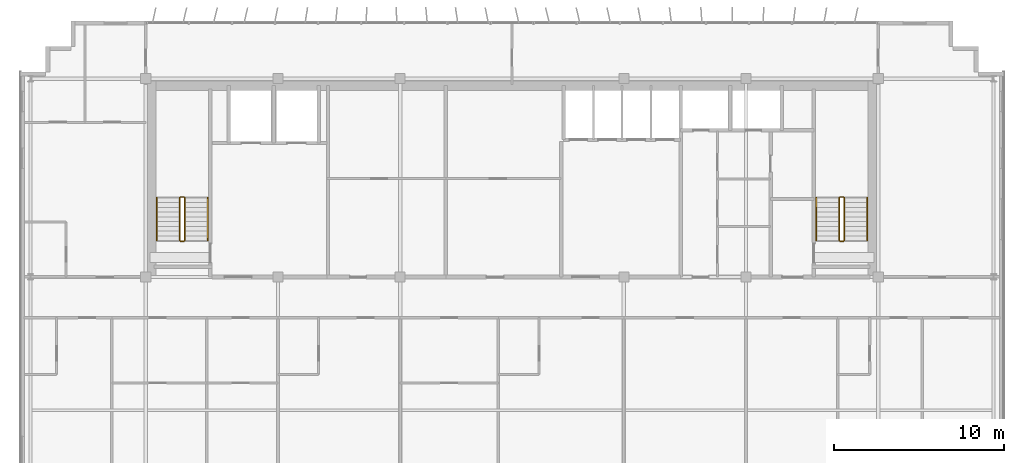
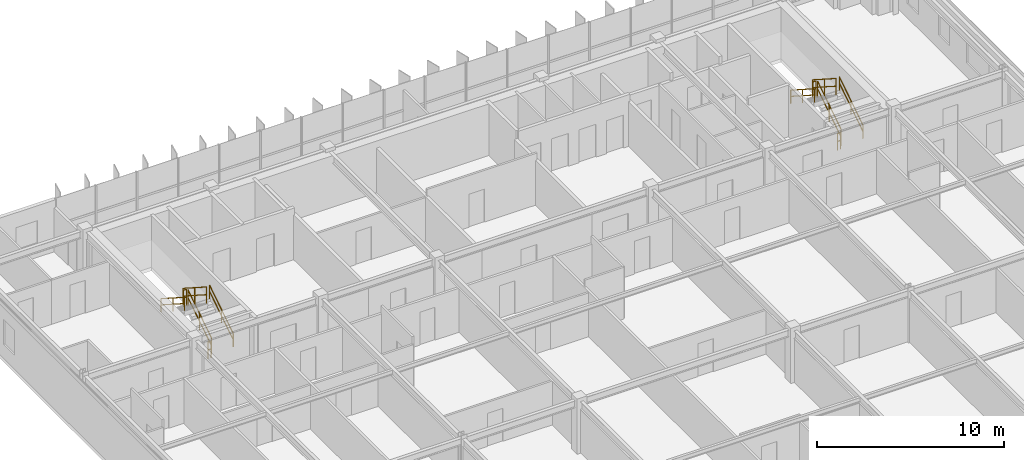
# One storey, part 23 of 23: 12 railings.
"""IFC4 building model written with IfcOpenShell, lengths in metres."""

from ifc_helpers import new_model, si_unit, direction, frame, origin, origin_2d, place, context, subcontext, project, spatial, rectangle, extrude, material, type_object, element, save


model = new_model("IFC4")

# Units and contexts
model_context = context("Model", 3, precision=1e-05, world=origin(), true_north=direction((0.0, 1.0)))
body_context = subcontext(model_context, "Body", "Model", "MODEL_VIEW")
ifc_project = project(units=[si_unit("LENGTHUNIT", "METRE"), si_unit("AREAUNIT", "SQUARE_METRE"), si_unit("VOLUMEUNIT", "CUBIC_METRE"), si_unit("PLANEANGLEUNIT", "RADIAN"), si_unit("MASSUNIT", "GRAM", prefix="KILO")], contexts=[model_context])

# Site, building, storey
site_placement = place(None, origin())
site = spatial("IfcSite", under=ifc_project, at=site_placement, CompositionType="ELEMENT")
building_placement = place(site_placement, origin())
building = spatial("IfcBuilding", under=site, at=building_placement, Name="Trelvane Seafront Commons", CompositionType="ELEMENT")
storey_placement = place(building_placement, frame((0.0, 0.0, 259.5)))
storey = spatial("IfcBuildingStorey", under=building, at=storey_placement, Name="L67", CompositionType="ELEMENT", Elevation=259.5)

# Railings
ifc_material = material(Name="Stainless steel balustrade", Category="steel")
railing_type_1 = type_object("IfcRailingType", Name="ARCH-SRL-GUARD", PredefinedType="GUARDRAIL", material=ifc_material)
railing_1_placement = place(storey_placement, frame((17.89990234375, 35.550048828125, 0.179931640625)))
element("IfcRailing", 1, at=railing_1_placement, inside=storey, type_object=railing_type_1, Name="L67 ST-1 stair guard 1", PredefinedType="GUARDRAIL", context=body_context, shape_type="SweptSolid", body=[
    extrude(rectangle(XDim=0.048095703125, YDim=0.048095703125, at=origin_2d()), frame((0.0, 0.0, 1.076171875), z_axis=(0.0, 0.841162588446, 0.540782303519), x_axis=(-1.0, 0.0, 0.0)), (0.0, 0.0, 1.0), 2.995849609375),
    extrude(rectangle(XDim=0.048095703125, YDim=0.048095703125, at=origin_2d()), frame((0.0, 0.0, 0.572021484375), z_axis=(0.0, 0.841162588446, 0.540782303519), x_axis=(-1.0, 0.0, 0.0)), (0.0, 0.0, 1.0), 2.995849609375),
    extrude(rectangle(XDim=0.0419921875, YDim=0.0419921875, at=origin_2d()), origin(), (0.0, 0.0, 1.0), 1.076171875),
    extrude(rectangle(XDim=0.0419921875, YDim=0.0419921875, at=origin_2d()), frame((0.0, 1.260009765625, 0.81005859375)), (0.0, 0.0, 1.0), 1.076171875),
    extrude(rectangle(XDim=0.0419921875, YDim=0.0419921875, at=origin_2d()), frame((0.0, 2.52001953125, 1.6201171875)), (0.0, 0.0, 1.0), 1.076171875),
])
railing_2_placement = place(storey_placement, frame((17.85009765625, 38.1201171875, 1.800048828125)))
element("IfcRailing", 2, at=railing_2_placement, inside=storey, type_object=railing_type_1, Name="L67 ST-1 stair guard 2", PredefinedType="GUARDRAIL", context=body_context, shape_type="SweptSolid", body=[
    extrude(rectangle(XDim=0.048095703125, YDim=0.048095703125, at=origin_2d()), frame((0.0, 0.0, 1.076171875), z_axis=(-1.0, 0.0, 0.0), x_axis=(0.0, -1.0, 0.0)), (0.0, 0.0, 1.0), 0.2001953125),
    extrude(rectangle(XDim=0.048095703125, YDim=0.048095703125, at=origin_2d()), frame((0.0, 0.0, 0.572021484375), z_axis=(-1.0, 0.0, 0.0), x_axis=(0.0, -1.0, 0.0)), (0.0, 0.0, 1.0), 0.2001953125),
    extrude(rectangle(XDim=0.0419921875, YDim=0.0419921875, at=origin_2d()), origin(), (0.0, 0.0, 1.0), 1.076171875),
    extrude(rectangle(XDim=0.0419921875, YDim=0.0419921875, at=origin_2d()), frame((-0.2001953125, 0.0, 0.0)), (0.0, 0.0, 1.0), 1.076171875),
])
railing_3_placement = place(storey_placement, frame((17.60009765625, 38.070068359375, 1.97998046875)))
element("IfcRailing", 3, at=railing_3_placement, inside=storey, type_object=railing_type_1, Name="L67 ST-1 stair guard 3", PredefinedType="GUARDRAIL", context=body_context, shape_type="SweptSolid", body=[
    extrude(rectangle(XDim=0.048095703125, YDim=0.048095703125, at=origin_2d()), frame((0.0, 0.0, 1.076171875), z_axis=(0.0, -0.841162588446, 0.540782303519), x_axis=(1.0, 0.0, 0.0)), (0.0, 0.0, 1.0), 2.995849609375),
    extrude(rectangle(XDim=0.048095703125, YDim=0.048095703125, at=origin_2d()), frame((0.0, 0.0, 0.572021484375), z_axis=(0.0, -0.841162588446, 0.540782303519), x_axis=(1.0, 0.0, 0.0)), (0.0, 0.0, 1.0), 2.995849609375),
    extrude(rectangle(XDim=0.0419921875, YDim=0.0419921875, at=origin_2d()), origin(), (0.0, 0.0, 1.0), 1.076171875),
    extrude(rectangle(XDim=0.0419921875, YDim=0.0419921875, at=origin_2d()), frame((0.0, -1.260009765625, 0.81005859375)), (0.0, 0.0, 1.0), 1.076171875),
    extrude(rectangle(XDim=0.0419921875, YDim=0.0419921875, at=origin_2d()), frame((0.0, -2.52001953125, 1.6201171875)), (0.0, 0.0, 1.0), 1.076171875),
])
railing_4_placement = place(storey_placement, frame((17.85009765625, 35.5, 0.0)))
element("IfcRailing", 4, at=railing_4_placement, inside=storey, type_object=railing_type_1, Name="L67 ST-1 stair guard 4", PredefinedType="GUARDRAIL", context=body_context, shape_type="SweptSolid", body=[
    extrude(rectangle(XDim=0.048095703125, YDim=0.048095703125, at=origin_2d()), frame((0.0, 0.0, 1.076171875), z_axis=(-1.0, 0.0, 0.0), x_axis=(0.0, -1.0, 0.0)), (0.0, 0.0, 1.0), 0.2001953125),
    extrude(rectangle(XDim=0.048095703125, YDim=0.048095703125, at=origin_2d()), frame((0.0, 0.0, 0.572021484375), z_axis=(-1.0, 0.0, 0.0), x_axis=(0.0, -1.0, 0.0)), (0.0, 0.0, 1.0), 0.2001953125),
    extrude(rectangle(XDim=0.0419921875, YDim=0.0419921875, at=origin_2d()), origin(), (0.0, 0.0, 1.0), 1.076171875),
    extrude(rectangle(XDim=0.0419921875, YDim=0.0419921875, at=origin_2d()), frame((-0.2001953125, 0.0, 0.0)), (0.0, 0.0, 1.0), 1.076171875),
])
railing_5_placement = place(storey_placement, frame((56.800048828125, 35.550048828125, 0.179931640625)))
element("IfcRailing", 5, at=railing_5_placement, inside=storey, type_object=railing_type_1, Name="L67 ST-2 stair guard 1", PredefinedType="GUARDRAIL", context=body_context, shape_type="SweptSolid", body=[
    extrude(rectangle(XDim=0.048095703125, YDim=0.048095703125, at=origin_2d()), frame((0.0, 0.0, 1.076171875), z_axis=(0.0, 0.841162588446, 0.540782303519), x_axis=(-1.0, 0.0, 0.0)), (0.0, 0.0, 1.0), 2.995849609375),
    extrude(rectangle(XDim=0.048095703125, YDim=0.048095703125, at=origin_2d()), frame((0.0, 0.0, 0.572021484375), z_axis=(0.0, 0.841162588446, 0.540782303519), x_axis=(-1.0, 0.0, 0.0)), (0.0, 0.0, 1.0), 2.995849609375),
    extrude(rectangle(XDim=0.0419921875, YDim=0.0419921875, at=origin_2d()), origin(), (0.0, 0.0, 1.0), 1.076171875),
    extrude(rectangle(XDim=0.0419921875, YDim=0.0419921875, at=origin_2d()), frame((0.0, 1.260009765625, 0.81005859375)), (0.0, 0.0, 1.0), 1.076171875),
    extrude(rectangle(XDim=0.0419921875, YDim=0.0419921875, at=origin_2d()), frame((0.0, 2.52001953125, 1.6201171875)), (0.0, 0.0, 1.0), 1.076171875),
])
railing_6_placement = place(storey_placement, frame((56.75, 38.1201171875, 1.800048828125)))
element("IfcRailing", 6, at=railing_6_placement, inside=storey, type_object=railing_type_1, Name="L67 ST-2 stair guard 2", PredefinedType="GUARDRAIL", context=body_context, shape_type="SweptSolid", body=[
    extrude(rectangle(XDim=0.048095703125, YDim=0.048095703125, at=origin_2d()), frame((0.0, 0.0, 1.076171875), z_axis=(-1.0, 0.0, 0.0), x_axis=(0.0, -1.0, 0.0)), (0.0, 0.0, 1.0), 0.199951171875),
    extrude(rectangle(XDim=0.048095703125, YDim=0.048095703125, at=origin_2d()), frame((0.0, 0.0, 0.572021484375), z_axis=(-1.0, 0.0, 0.0), x_axis=(0.0, -1.0, 0.0)), (0.0, 0.0, 1.0), 0.199951171875),
    extrude(rectangle(XDim=0.0419921875, YDim=0.0419921875, at=origin_2d()), origin(), (0.0, 0.0, 1.0), 1.076171875),
    extrude(rectangle(XDim=0.0419921875, YDim=0.0419921875, at=origin_2d()), frame((-0.199951171875, 0.0, 0.0)), (0.0, 0.0, 1.0), 1.076171875),
])
railing_7_placement = place(storey_placement, frame((56.5, 38.070068359375, 1.97998046875)))
element("IfcRailing", 7, at=railing_7_placement, inside=storey, type_object=railing_type_1, Name="L67 ST-2 stair guard 3", PredefinedType="GUARDRAIL", context=body_context, shape_type="SweptSolid", body=[
    extrude(rectangle(XDim=0.048095703125, YDim=0.048095703125, at=origin_2d()), frame((0.0, 0.0, 1.076171875), z_axis=(0.0, -0.841162588446, 0.540782303519), x_axis=(1.0, 0.0, 0.0)), (0.0, 0.0, 1.0), 2.995849609375),
    extrude(rectangle(XDim=0.048095703125, YDim=0.048095703125, at=origin_2d()), frame((0.0, 0.0, 0.572021484375), z_axis=(0.0, -0.841162588446, 0.540782303519), x_axis=(1.0, 0.0, 0.0)), (0.0, 0.0, 1.0), 2.995849609375),
    extrude(rectangle(XDim=0.0419921875, YDim=0.0419921875, at=origin_2d()), origin(), (0.0, 0.0, 1.0), 1.076171875),
    extrude(rectangle(XDim=0.0419921875, YDim=0.0419921875, at=origin_2d()), frame((0.0, -1.260009765625, 0.81005859375)), (0.0, 0.0, 1.0), 1.076171875),
    extrude(rectangle(XDim=0.0419921875, YDim=0.0419921875, at=origin_2d()), frame((0.0, -2.52001953125, 1.6201171875)), (0.0, 0.0, 1.0), 1.076171875),
])
railing_8_placement = place(storey_placement, frame((56.75, 35.5, 0.0)))
element("IfcRailing", 8, at=railing_8_placement, inside=storey, type_object=railing_type_1, Name="L67 ST-2 stair guard 4", PredefinedType="GUARDRAIL", context=body_context, shape_type="SweptSolid", body=[
    extrude(rectangle(XDim=0.048095703125, YDim=0.048095703125, at=origin_2d()), frame((0.0, 0.0, 1.076171875), z_axis=(-1.0, 0.0, 0.0), x_axis=(0.0, -1.0, 0.0)), (0.0, 0.0, 1.0), 0.199951171875),
    extrude(rectangle(XDim=0.048095703125, YDim=0.048095703125, at=origin_2d()), frame((0.0, 0.0, 0.572021484375), z_axis=(-1.0, 0.0, 0.0), x_axis=(0.0, -1.0, 0.0)), (0.0, 0.0, 1.0), 0.199951171875),
    extrude(rectangle(XDim=0.0419921875, YDim=0.0419921875, at=origin_2d()), origin(), (0.0, 0.0, 1.0), 1.076171875),
    extrude(rectangle(XDim=0.0419921875, YDim=0.0419921875, at=origin_2d()), frame((-0.199951171875, 0.0, 0.0)), (0.0, 0.0, 1.0), 1.076171875),
])
railing_type_2 = type_object("IfcRailingType", Name="ARCH-SRL-HAND", PredefinedType="HANDRAIL", material=ifc_material)
railing_9_placement = place(storey_placement, frame((19.25, 35.550048828125, 0.179931640625)))
element("IfcRailing", 9, at=railing_9_placement, inside=storey, type_object=railing_type_2, Name="L67 ST-1 stair handrail 1", PredefinedType="HANDRAIL", context=body_context, shape_type="SweptSolid", body=[
    extrude(rectangle(XDim=0.048095703125, YDim=0.048095703125, at=origin_2d()), frame((0.0, 0.0, 0.8759765625), z_axis=(0.0, 0.841162588446, 0.540782303519), x_axis=(-1.0, 0.0, 0.0)), (0.0, 0.0, 1.0), 2.995849609375),
    extrude(rectangle(XDim=0.048095703125, YDim=0.048095703125, at=origin_2d()), frame((0.0, 0.0, 0.468017578125), z_axis=(0.0, 0.841162588446, 0.540782303519), x_axis=(-1.0, 0.0, 0.0)), (0.0, 0.0, 1.0), 2.995849609375),
    extrude(rectangle(XDim=0.0419921875, YDim=0.0419921875, at=origin_2d()), origin(), (0.0, 0.0, 1.0), 0.8759765625),
    extrude(rectangle(XDim=0.0419921875, YDim=0.0419921875, at=origin_2d()), frame((0.0, 1.260009765625, 0.81005859375)), (0.0, 0.0, 1.0), 0.8759765625),
    extrude(rectangle(XDim=0.0419921875, YDim=0.0419921875, at=origin_2d()), frame((0.0, 2.52001953125, 1.6201171875)), (0.0, 0.0, 1.0), 0.8759765625),
])
railing_10_placement = place(storey_placement, frame((16.25, 38.070068359375, 1.97998046875)))
element("IfcRailing", 10, at=railing_10_placement, inside=storey, type_object=railing_type_2, Name="L67 ST-1 stair handrail 2", PredefinedType="HANDRAIL", context=body_context, shape_type="SweptSolid", body=[
    extrude(rectangle(XDim=0.048095703125, YDim=0.048095703125, at=origin_2d()), frame((0.0, 0.0, 0.8759765625), z_axis=(0.0, -0.841162588446, 0.540782303519), x_axis=(1.0, 0.0, 0.0)), (0.0, 0.0, 1.0), 2.995849609375),
    extrude(rectangle(XDim=0.048095703125, YDim=0.048095703125, at=origin_2d()), frame((0.0, 0.0, 0.468017578125), z_axis=(0.0, -0.841162588446, 0.540782303519), x_axis=(1.0, 0.0, 0.0)), (0.0, 0.0, 1.0), 2.995849609375),
    extrude(rectangle(XDim=0.0419921875, YDim=0.0419921875, at=origin_2d()), origin(), (0.0, 0.0, 1.0), 0.8759765625),
    extrude(rectangle(XDim=0.0419921875, YDim=0.0419921875, at=origin_2d()), frame((0.0, -1.260009765625, 0.81005859375)), (0.0, 0.0, 1.0), 0.8759765625),
    extrude(rectangle(XDim=0.0419921875, YDim=0.0419921875, at=origin_2d()), frame((0.0, -2.52001953125, 1.6201171875)), (0.0, 0.0, 1.0), 0.8759765625),
])
railing_11_placement = place(storey_placement, frame((58.14990234375, 35.550048828125, 0.179931640625)))
element("IfcRailing", 11, at=railing_11_placement, inside=storey, type_object=railing_type_2, Name="L67 ST-2 stair handrail 1", PredefinedType="HANDRAIL", context=body_context, shape_type="SweptSolid", body=[
    extrude(rectangle(XDim=0.048095703125, YDim=0.048095703125, at=origin_2d()), frame((0.0, 0.0, 0.8759765625), z_axis=(0.0, 0.841162588446, 0.540782303519), x_axis=(-1.0, 0.0, 0.0)), (0.0, 0.0, 1.0), 2.995849609375),
    extrude(rectangle(XDim=0.048095703125, YDim=0.048095703125, at=origin_2d()), frame((0.0, 0.0, 0.468017578125), z_axis=(0.0, 0.841162588446, 0.540782303519), x_axis=(-1.0, 0.0, 0.0)), (0.0, 0.0, 1.0), 2.995849609375),
    extrude(rectangle(XDim=0.0419921875, YDim=0.0419921875, at=origin_2d()), origin(), (0.0, 0.0, 1.0), 0.8759765625),
    extrude(rectangle(XDim=0.0419921875, YDim=0.0419921875, at=origin_2d()), frame((0.0, 1.260009765625, 0.81005859375)), (0.0, 0.0, 1.0), 0.8759765625),
    extrude(rectangle(XDim=0.0419921875, YDim=0.0419921875, at=origin_2d()), frame((0.0, 2.52001953125, 1.6201171875)), (0.0, 0.0, 1.0), 0.8759765625),
])
railing_12_placement = place(storey_placement, frame((55.14990234375, 38.070068359375, 1.97998046875)))
element("IfcRailing", 12, at=railing_12_placement, inside=storey, type_object=railing_type_2, Name="L67 ST-2 stair handrail 2", PredefinedType="HANDRAIL", context=body_context, shape_type="SweptSolid", body=[
    extrude(rectangle(XDim=0.048095703125, YDim=0.048095703125, at=origin_2d()), frame((0.0, 0.0, 0.8759765625), z_axis=(0.0, -0.841162588446, 0.540782303519), x_axis=(1.0, 0.0, 0.0)), (0.0, 0.0, 1.0), 2.995849609375),
    extrude(rectangle(XDim=0.048095703125, YDim=0.048095703125, at=origin_2d()), frame((0.0, 0.0, 0.468017578125), z_axis=(0.0, -0.841162588446, 0.540782303519), x_axis=(1.0, 0.0, 0.0)), (0.0, 0.0, 1.0), 2.995849609375),
    extrude(rectangle(XDim=0.0419921875, YDim=0.0419921875, at=origin_2d()), origin(), (0.0, 0.0, 1.0), 0.8759765625),
    extrude(rectangle(XDim=0.0419921875, YDim=0.0419921875, at=origin_2d()), frame((0.0, -1.260009765625, 0.81005859375)), (0.0, 0.0, 1.0), 0.8759765625),
    extrude(rectangle(XDim=0.0419921875, YDim=0.0419921875, at=origin_2d()), frame((0.0, -2.52001953125, 1.6201171875)), (0.0, 0.0, 1.0), 0.8759765625),
])

save(model, "model.ifc")
